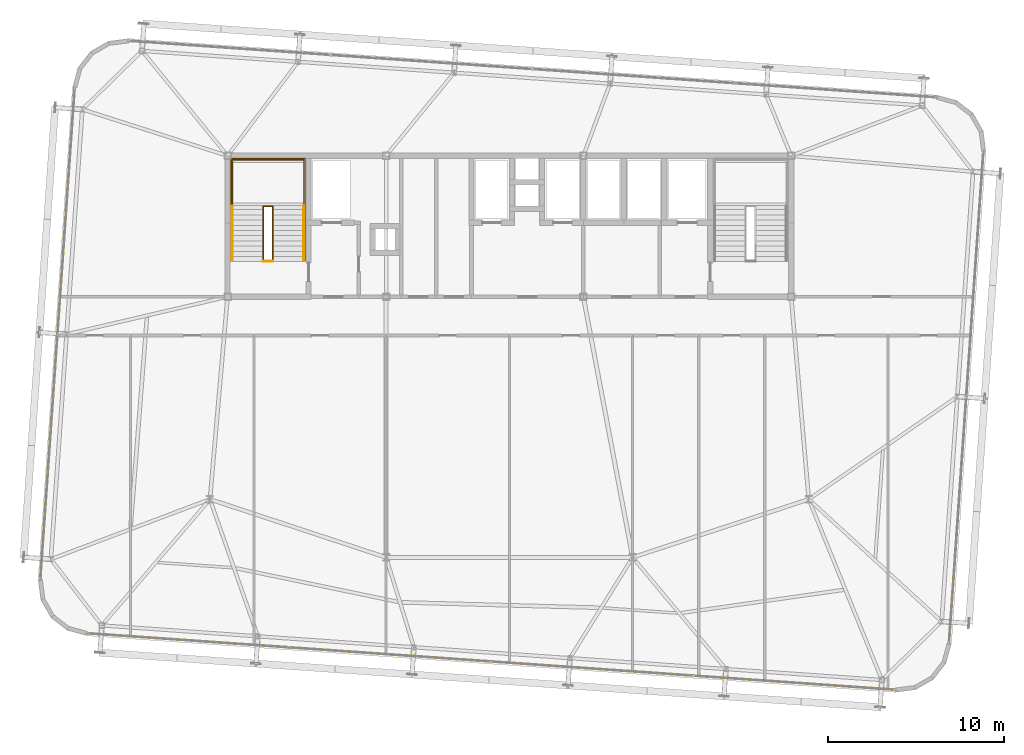
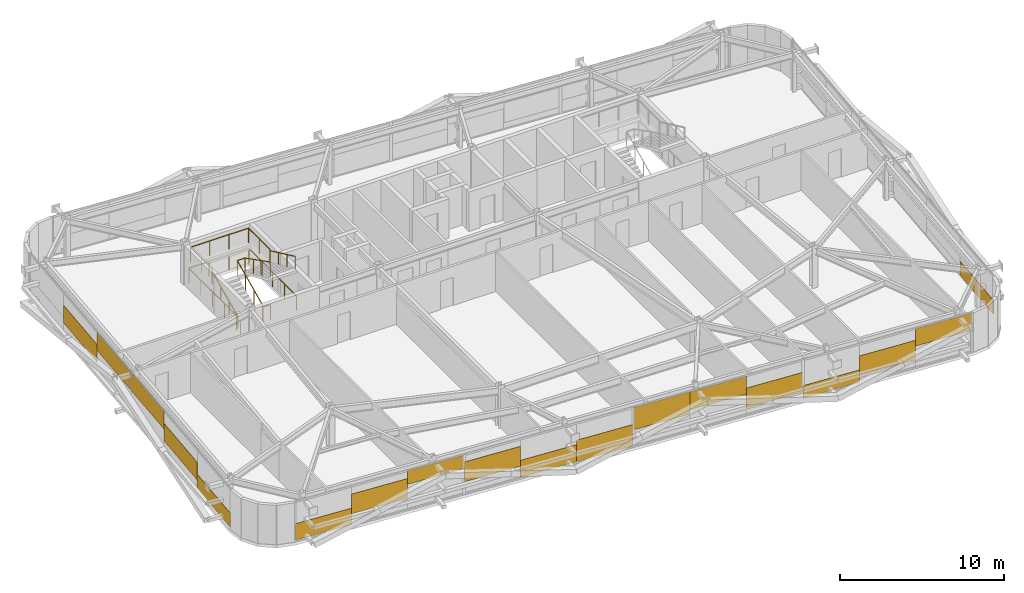
# One storey, part 38 of 39: 18 coverings, 6 railings.
"""IFC4 building model written with IfcOpenShell, lengths in metres."""

from ifc_helpers import new_model, si_unit, direction, frame, origin, origin_2d, place, context, subcontext, project, spatial, rectangle, extrude, source, transform, mapped, material, layer, layer_set, type_object, element, save


model = new_model("IFC4")

# Units and contexts
model_context = context("Model", 3, precision=1e-05, world=origin(), true_north=direction((0.0, 1.0)))
body_context = subcontext(model_context, "Body", "Model", "MODEL_VIEW")
ifc_project = project(units=[si_unit("LENGTHUNIT", "METRE"), si_unit("AREAUNIT", "SQUARE_METRE"), si_unit("VOLUMEUNIT", "CUBIC_METRE"), si_unit("PLANEANGLEUNIT", "RADIAN"), si_unit("MASSUNIT", "GRAM", prefix="KILO")], contexts=[model_context])

# Site, building, storey
site_placement = place(None, origin())
site = spatial("IfcSite", under=ifc_project, at=site_placement, CompositionType="ELEMENT")
building_placement = place(site_placement, origin())
building = spatial("IfcBuilding", under=site, at=building_placement, Name="Taldren Reach Tower", CompositionType="ELEMENT")
storey_placement = place(building_placement, frame((0.0, 0.0, 151.89990234375)))
storey = spatial("IfcBuildingStorey", under=building, at=storey_placement, Name="L46", CompositionType="ELEMENT", Elevation=151.89990234375)

# Railings
ifc_material_1 = material(Name="Steel Gr 350 (C350L0)", Category="steel")
ifc_layer_1 = layer(ifc_material_1, 0.050048828125)
ifc_layer_set_1 = layer_set([ifc_layer_1], Name="Steel Gr 350 (C350L0)")
railing_type_1 = type_object("IfcRailingType", Name="RL-STAIR-GR", PredefinedType="GUARDRAIL", material=ifc_layer_set_1)
railing_1_placement = place(storey_placement, frame((19.260009765625, 29.135009765625, 1.5751953125)))
element("IfcRailing", 1, at=railing_1_placement, inside=storey, type_object=railing_type_1, Name="Stair half-landing perimeter guard ST1-L46", PredefinedType="GUARDRAIL", context=body_context, shape_type="SweptSolid", body=[
    extrude(rectangle(XDim=0.047852, YDim=0.047852, at=origin_2d()), frame((0.0, 0.0, 1.09619140625), z_axis=(0.0, 1.0, 0.0), x_axis=(-1.0, 0.0, 0.0)), (0.0, 0.0, 1.0), 2.64501953125),
    extrude(rectangle(XDim=0.047852, YDim=0.047852, at=origin_2d()), frame((0.0, 2.64501953125, 1.09619140625), z_axis=(1.0, 0.0, 0.0), x_axis=(0.0, 1.0, 0.0)), (0.0, 0.0, 1.0), 4.080078125),
    extrude(rectangle(XDim=0.047852, YDim=0.047852, at=origin_2d()), frame((4.080078125, 2.64501953125, 1.09619140625), z_axis=(0.0, -1.0, 0.0), x_axis=(1.0, 0.0, 0.0)), (0.0, 0.0, 1.0), 2.64501953125),
    extrude(rectangle(XDim=0.041992, YDim=0.041992, at=origin_2d()), origin(), (0.0, 0.0, 1.0), 1.072021484375),
    extrude(rectangle(XDim=0.041992, YDim=0.041992, at=origin_2d()), frame((0.0, 1.322509765625, 0.0)), (0.0, 0.0, 1.0), 1.072021484375),
    extrude(rectangle(XDim=0.041992, YDim=0.041992, at=origin_2d()), frame((0.0, 2.64501953125, 0.0)), (0.0, 0.0, 1.0), 1.072021484375),
    extrude(rectangle(XDim=0.041992, YDim=0.041992, at=origin_2d()), frame((1.360107421875, 2.64501953125, 0.0)), (0.0, 0.0, 1.0), 1.072021484375),
    extrude(rectangle(XDim=0.041992, YDim=0.041992, at=origin_2d()), frame((2.719970703125, 2.64501953125, 0.0)), (0.0, 0.0, 1.0), 1.072021484375),
    extrude(rectangle(XDim=0.041992, YDim=0.041992, at=origin_2d()), frame((4.080078125, 2.64501953125, 0.0)), (0.0, 0.0, 1.0), 1.072021484375),
    extrude(rectangle(XDim=0.041992, YDim=0.041992, at=origin_2d()), frame((4.080078125, 1.322509765625, 0.0)), (0.0, 0.0, 1.0), 1.072021484375),
    extrude(rectangle(XDim=0.041992, YDim=0.041992, at=origin_2d()), frame((4.080078125, 0.0, 0.0)), (0.0, 0.0, 1.0), 1.072021484375),
])
railing_2_placement = place(storey_placement, frame((21.030029296875, 26.050048828125, 0.13134765625)))
element("IfcRailing", 2, at=railing_2_placement, inside=storey, type_object=railing_type_1, Name="Stairwell inner guard ST1-L46", PredefinedType="GUARDRAIL", context=body_context, shape_type="SweptSolid", body=[
    extrude(rectangle(XDim=0.047852, YDim=0.047852, at=origin_2d()), frame((0.0, 0.0, 1.09619140625), z_axis=(0.0, 0.905710134349, 0.423897573167), x_axis=(-1.0, 0.0, 0.0)), (0.0, 0.0, 1.0), 3.406005859375),
    extrude(rectangle(XDim=0.047852, YDim=0.047852, at=origin_2d()), frame((0.0, 3.0849609375, 2.5400390625), z_axis=(1.0, 0.0, 0.0), x_axis=(0.0, 1.0, 0.0)), (0.0, 0.0, 1.0), 0.5400390625),
    extrude(rectangle(XDim=0.047852, YDim=0.047852, at=origin_2d()), frame((0.5400390625, 3.0849609375, 2.5400390625), z_axis=(0.0, -0.890645957773, 0.45469745755), x_axis=(1.0, 0.0, 0.0)), (0.0, 0.0, 1.0), 3.463623046875),
    extrude(rectangle(XDim=0.041992, YDim=0.041992, at=origin_2d()), origin(), (0.0, 0.0, 1.0), 1.072021484375),
    extrude(rectangle(XDim=0.041992, YDim=0.041992, at=origin_2d()), frame((0.0, 1.0283203125, 0.481201171875)), (0.0, 0.0, 1.0), 1.072021484375),
    extrude(rectangle(XDim=0.041992, YDim=0.041992, at=origin_2d()), frame((0.0, 2.056640625, 0.962646484375)), (0.0, 0.0, 1.0), 1.072021484375),
    extrude(rectangle(XDim=0.041992, YDim=0.041992, at=origin_2d()), frame((0.0, 3.0849609375, 1.44384765625)), (0.0, 0.0, 1.0), 1.072021484375),
    extrude(rectangle(XDim=0.041992, YDim=0.041992, at=origin_2d()), frame((0.5400390625, 3.0849609375, 1.44384765625)), (0.0, 0.0, 1.0), 1.072021484375),
    extrude(rectangle(XDim=0.041992, YDim=0.041992, at=origin_2d()), frame((0.5400390625, 2.056640625, 1.96875)), (0.0, 0.0, 1.0), 1.072021484375),
    extrude(rectangle(XDim=0.041992, YDim=0.041992, at=origin_2d()), frame((0.5400390625, 1.0283203125, 2.493896484375)), (0.0, 0.0, 1.0), 1.072021484375),
    extrude(rectangle(XDim=0.041992, YDim=0.041992, at=origin_2d()), frame((0.5400390625, 0.0, 3.018798828125)), (0.0, 0.0, 1.0), 1.072021484375),
])
railing_3_placement = place(storey_placement, frame((21.030029296875, 26.010009765625, 0.0)))
element("IfcRailing", 3, at=railing_3_placement, inside=storey, type_object=railing_type_1, Name="Stairwell landing slot guard ST1-L46", PredefinedType="GUARDRAIL", context=body_context, shape_type="SweptSolid", body=[
    extrude(rectangle(XDim=0.047852, YDim=0.047852, at=origin_2d()), frame((0.0, 0.0, 1.09619140625), z_axis=(1.0, 0.0, 0.0), x_axis=(0.0, 1.0, 0.0)), (0.0, 0.0, 1.0), 0.5400390625),
    extrude(rectangle(XDim=0.041992, YDim=0.041992, at=origin_2d()), origin(), (0.0, 0.0, 1.0), 1.072021484375),
    extrude(rectangle(XDim=0.041992, YDim=0.041992, at=origin_2d()), frame((0.5400390625, 0.0, 0.0)), (0.0, 0.0, 1.0), 1.072021484375),
])
railing_4_placement = place(storey_placement, frame((19.18994140625, 26.050048828125, 0.0)))
element("IfcRailing", 4, at=railing_4_placement, inside=storey, type_object=railing_type_1, Name="Stairwell floor opening guard ST1-L46", PredefinedType="GUARDRAIL", context=body_context, shape_type="SweptSolid", body=[
    extrude(rectangle(XDim=0.047852, YDim=0.047852, at=origin_2d()), frame((0.0, 0.0, 1.09619140625), z_axis=(0.0, 1.0, 0.0), x_axis=(-1.0, 0.0, 0.0)), (0.0, 0.0, 1.0), 5.800048828125),
    extrude(rectangle(XDim=0.047852, YDim=0.047852, at=origin_2d()), frame((0.0, 5.800048828125, 1.09619140625), z_axis=(1.0, 0.0, 0.0), x_axis=(0.0, 1.0, 0.0)), (0.0, 0.0, 1.0), 4.219970703125),
    extrude(rectangle(XDim=0.047852, YDim=0.047852, at=origin_2d()), frame((4.219970703125, 5.800048828125, 1.09619140625), z_axis=(0.0, -1.0, 0.0), x_axis=(1.0, 0.0, 0.0)), (0.0, 0.0, 1.0), 5.800048828125),
    extrude(rectangle(XDim=0.041992, YDim=0.041992, at=origin_2d()), origin(), (0.0, 0.0, 1.0), 1.072021484375),
    extrude(rectangle(XDim=0.041992, YDim=0.041992, at=origin_2d()), frame((0.0, 1.449951171875, 0.0)), (0.0, 0.0, 1.0), 1.072021484375),
    extrude(rectangle(XDim=0.041992, YDim=0.041992, at=origin_2d()), frame((0.0, 2.89990234375, 0.0)), (0.0, 0.0, 1.0), 1.072021484375),
    extrude(rectangle(XDim=0.041992, YDim=0.041992, at=origin_2d()), frame((0.0, 4.35009765625, 0.0)), (0.0, 0.0, 1.0), 1.072021484375),
    extrude(rectangle(XDim=0.041992, YDim=0.041992, at=origin_2d()), frame((0.0, 5.800048828125, 0.0)), (0.0, 0.0, 1.0), 1.072021484375),
    extrude(rectangle(XDim=0.041992, YDim=0.041992, at=origin_2d()), frame((1.40673828125, 5.800048828125, 0.0)), (0.0, 0.0, 1.0), 1.072021484375),
    extrude(rectangle(XDim=0.041992, YDim=0.041992, at=origin_2d()), frame((2.813232421875, 5.800048828125, 0.0)), (0.0, 0.0, 1.0), 1.072021484375),
    extrude(rectangle(XDim=0.041992, YDim=0.041992, at=origin_2d()), frame((4.219970703125, 5.800048828125, 0.0)), (0.0, 0.0, 1.0), 1.072021484375),
    extrude(rectangle(XDim=0.041992, YDim=0.041992, at=origin_2d()), frame((4.219970703125, 4.35009765625, 0.0)), (0.0, 0.0, 1.0), 1.072021484375),
    extrude(rectangle(XDim=0.041992, YDim=0.041992, at=origin_2d()), frame((4.219970703125, 2.89990234375, 0.0)), (0.0, 0.0, 1.0), 1.072021484375),
    extrude(rectangle(XDim=0.041992, YDim=0.041992, at=origin_2d()), frame((4.219970703125, 1.449951171875, 0.0)), (0.0, 0.0, 1.0), 1.072021484375),
    extrude(rectangle(XDim=0.041992, YDim=0.041992, at=origin_2d()), frame((4.219970703125, 0.0, 0.0)), (0.0, 0.0, 1.0), 1.072021484375),
])
ifc_material_2 = material(Name="Stainless Steel Gr 316", Category="steel")
ifc_layer_2 = layer(ifc_material_2, 0.048095703125)
ifc_layer_set_2 = layer_set([ifc_layer_2], Name="Stainless Steel Gr 316")
railing_type_2 = type_object("IfcRailingType", Name="RL-STAIR-HR", PredefinedType="HANDRAIL", material=ifc_layer_set_2)
railing_5_placement = place(storey_placement, frame((19.27001953125, 26.050048828125, 0.13134765625)))
element("IfcRailing", 5, at=railing_5_placement, inside=storey, type_object=railing_type_2, Name="Stair flight handrail ST1-L46-1", PredefinedType="HANDRAIL", context=body_context, shape_type="SweptSolid", body=[
    extrude(rectangle(XDim=0.047852, YDim=0.047852, at=origin_2d()), frame((0.0, 0.0, 0.89599609375), z_axis=(0.0, 0.905710134349, 0.423897573167), x_axis=(-1.0, 0.0, 0.0)), (0.0, 0.0, 1.0), 3.406005859375),
    extrude(rectangle(XDim=0.041992, YDim=0.041992, at=origin_2d()), origin(), (0.0, 0.0, 1.0), 0.871826171875),
    extrude(rectangle(XDim=0.041992, YDim=0.041992, at=origin_2d()), frame((0.0, 1.0283203125, 0.481201171875)), (0.0, 0.0, 1.0), 0.871826171875),
    extrude(rectangle(XDim=0.041992, YDim=0.041992, at=origin_2d()), frame((0.0, 2.056640625, 0.962646484375)), (0.0, 0.0, 1.0), 0.871826171875),
    extrude(rectangle(XDim=0.041992, YDim=0.041992, at=origin_2d()), frame((0.0, 3.0849609375, 1.44384765625)), (0.0, 0.0, 1.0), 0.871826171875),
])
railing_6_placement = place(storey_placement, frame((23.330078125, 29.135009765625, 1.706298828125)))
element("IfcRailing", 6, at=railing_6_placement, inside=storey, type_object=railing_type_2, Name="Stair flight handrail ST1-L46-2", PredefinedType="HANDRAIL", context=body_context, shape_type="SweptSolid", body=[
    extrude(rectangle(XDim=0.047852, YDim=0.047852, at=origin_2d()), frame((0.0, 0.0, 0.89599609375), z_axis=(0.0, -0.905710134349, 0.423897573167), x_axis=(1.0, 0.0, 0.0)), (0.0, 0.0, 1.0), 3.406005859375),
    extrude(rectangle(XDim=0.041992, YDim=0.041992, at=origin_2d()), origin(), (0.0, 0.0, 1.0), 0.871826171875),
    extrude(rectangle(XDim=0.041992, YDim=0.041992, at=origin_2d()), frame((0.0, -1.0283203125, 0.481201171875)), (0.0, 0.0, 1.0), 0.871826171875),
    extrude(rectangle(XDim=0.041992, YDim=0.041992, at=origin_2d()), frame((0.0, -2.056640625, 0.962646484375)), (0.0, 0.0, 1.0), 0.871826171875),
    extrude(rectangle(XDim=0.041992, YDim=0.041992, at=origin_2d()), frame((0.0, -3.0849609375, 1.44384765625)), (0.0, 0.0, 1.0), 0.871826171875),
])

# Coverings
ifc_material_3 = material(Name="Pale Champagne Fluoropolymer Aluminium Spandrel Cladding", Category="aluminium")
ifc_layer_3 = layer(ifc_material_3, 0.0439453125)
ifc_layer_set_3 = layer_set([ifc_layer_3], Name="Pale Champagne Fluoropolymer Aluminium Spandrel Cladding")
covering_type = type_object("IfcCoveringType", Name="CV-CLAD-044", PredefinedType="CLADDING", material=ifc_layer_set_3)
shared_shape_1 = source(origin(), body_context, "Body", "SweptSolid", [
    extrude(rectangle(XDim=3.79833984375, YDim=0.0439453125, at=origin_2d()), origin(), (0.0, 0.0, 1.0), 1.22216796875),
])
covering_1_placement = place(storey_placement, frame((12.994384765625, 4.748046875, 0.05517578125), z_axis=(0.0, 0.0, 1.0), x_axis=(0.99756404731, -0.06975651593, 0.0)))
element("IfcCovering", 7, at=covering_1_placement, inside=storey, type_object=covering_type, Name="Diagrid closure cladding strip CW-4 panel 1.1 1", PredefinedType="CLADDING", context=body_context, shape_type="MappedRepresentation", body=[
    mapped(shared_shape_1, transform((0.0, 0.0, 0.0), scale=1.0)),
])
shared_shape_2 = source(origin(), body_context, "Body", "SweptSolid", [
    extrude(rectangle(XDim=3.79833984375, YDim=0.0439453125, at=origin_2d()), origin(), (0.0, 0.0, 1.0), 1.474365234375),
])
for number, where, z_axis, x_axis, name in (
    (8, (16.783447265625, 4.483154296875, 0.84228515625), (0.0, 0.0, 1.0), (0.99756404731, -0.06975651593, 0.0), "Diagrid closure cladding strip CW-4 panel 1.1 2"),
    (9, (51.16455078125, 2.0791015625, 0.5537109375), (0.0, 0.0, 1.0), (0.99756404731, -0.06975651593, 0.0), "Diagrid closure cladding strip CW-4 panel 4.1 2"),
):
    element("IfcCovering", number, at=place(storey_placement, frame(where, z_axis=z_axis, x_axis=x_axis)), inside=storey, type_object=covering_type, Name=name, PredefinedType="CLADDING", context=body_context, shape_type="MappedRepresentation", body=[
        mapped(shared_shape_2, transform((0.0, 0.0, 0.0), scale=1.0)),
    ])
shared_shape_3 = source(origin(), body_context, "Body", "SweptSolid", [
    extrude(rectangle(XDim=3.79833984375, YDim=0.0439453125, at=origin_2d()), origin(), (0.0, 0.0, 1.0), 0.993408203125),
])
covering_2_placement = place(storey_placement, frame((20.572509765625, 4.21826171875, 1.8818359375), z_axis=(0.0, 0.0, 1.0), x_axis=(0.99756404731, -0.06975651593, 0.0)))
element("IfcCovering", 10, at=covering_2_placement, inside=storey, type_object=covering_type, Name="Diagrid closure cladding strip CW-4 panel 1.1 3", PredefinedType="CLADDING", context=body_context, shape_type="MappedRepresentation", body=[
    mapped(shared_shape_3, transform((0.0, 0.0, 0.0), scale=1.0)),
])
shared_shape_4 = source(origin(), body_context, "Body", "SweptSolid", [
    extrude(rectangle(XDim=3.81005859375, YDim=0.0439453125, at=origin_2d()), origin(), (0.0, 0.0, 1.0), 1.477783203125),
])
for number, where, z_axis, x_axis, name in (
    (11, (24.437255859375, 3.947998046875, 0.88232421875), (0.0, 0.0, 1.0), (0.99756404731, -0.06975651593, 0.0), "Diagrid closure cladding strip CW-4 panel 2.1 1"),
    (12, (43.510498046875, 2.6142578125, 0.51025390625), (0.0, 0.0, 1.0), (0.99756404731, -0.06975651593, 0.0), "Diagrid closure cladding strip CW-4 panel 3.1 3"),
):
    element("IfcCovering", number, at=place(storey_placement, frame(where, z_axis=z_axis, x_axis=x_axis)), inside=storey, type_object=covering_type, Name=name, PredefinedType="CLADDING", context=body_context, shape_type="MappedRepresentation", body=[
        mapped(shared_shape_4, transform((0.0, 0.0, 0.0), scale=1.0)),
    ])
shared_shape_5 = source(origin(), body_context, "Body", "SweptSolid", [
    extrude(rectangle(XDim=3.81005859375, YDim=0.0439453125, at=origin_2d()), origin(), (0.0, 0.0, 1.0), 1.26220703125),
])
covering_3_placement = place(storey_placement, frame((28.23779296875, 3.68212890625, 0.05517578125), z_axis=(0.0, 0.0, 1.0), x_axis=(0.99756404731, -0.06975651593, 0.0)))
element("IfcCovering", 13, at=covering_3_placement, inside=storey, type_object=covering_type, Name="Diagrid closure cladding strip CW-4 panel 2.1 2", PredefinedType="CLADDING", context=body_context, shape_type="MappedRepresentation", body=[
    mapped(shared_shape_5, transform((0.0, 0.0, 0.0), scale=1.0)),
])
shared_shape_6 = source(origin(), body_context, "Body", "SweptSolid", [
    extrude(rectangle(XDim=3.81005859375, YDim=0.0439453125, at=origin_2d()), origin(), (0.0, 0.0, 1.0), 1.587890625),
])
covering_4_placement = place(storey_placement, frame((32.03857421875, 3.41650390625, 0.05517578125), z_axis=(0.0, 0.0, 1.0), x_axis=(0.99756404731, -0.06975651593, 0.0)))
element("IfcCovering", 14, at=covering_4_placement, inside=storey, type_object=covering_type, Name="Diagrid closure cladding strip CW-4 panel 2.1 3", PredefinedType="CLADDING", context=body_context, shape_type="MappedRepresentation", body=[
    mapped(shared_shape_6, transform((0.0, 0.0, 0.0), scale=1.0)),
])
shared_shape_7 = source(origin(), body_context, "Body", "SweptSolid", [
    extrude(rectangle(XDim=3.81005859375, YDim=0.0439453125, at=origin_2d()), origin(), (0.0, 0.0, 1.0), 1.64794921875),
])
covering_5_placement = place(storey_placement, frame((35.9091796875, 3.145751953125, 1.22705078125), z_axis=(0.0, 0.0, 1.0), x_axis=(0.99756404731, -0.06975651593, 0.0)))
element("IfcCovering", 15, at=covering_5_placement, inside=storey, type_object=covering_type, Name="Diagrid closure cladding strip CW-4 panel 3.1 1", PredefinedType="CLADDING", context=body_context, shape_type="MappedRepresentation", body=[
    mapped(shared_shape_7, transform((0.0, 0.0, 0.0), scale=1.0)),
])
shared_shape_8 = source(origin(), body_context, "Body", "SweptSolid", [
    extrude(rectangle(XDim=3.81005859375, YDim=0.0439453125, at=origin_2d()), origin(), (0.0, 0.0, 1.0), 1.322265625),
])
covering_6_placement = place(storey_placement, frame((39.7099609375, 2.8798828125, 1.552734375), z_axis=(0.0, 0.0, 1.0), x_axis=(0.99756404731, -0.06975651593, 0.0)))
element("IfcCovering", 16, at=covering_6_placement, inside=storey, type_object=covering_type, Name="Diagrid closure cladding strip CW-4 panel 3.1 2", PredefinedType="CLADDING", context=body_context, shape_type="MappedRepresentation", body=[
    mapped(shared_shape_8, transform((0.0, 0.0, 0.0), scale=1.0)),
])
shared_shape_9 = source(origin(), body_context, "Body", "SweptSolid", [
    extrude(rectangle(XDim=3.79833984375, YDim=0.0439453125, at=origin_2d()), origin(), (0.0, 0.0, 1.0), 0.93359375),
])
covering_7_placement = place(storey_placement, frame((47.375244140625, 2.343994140625, 0.054931640625), z_axis=(0.0, 0.0, 1.0), x_axis=(0.99756404731, -0.06975651593, 0.0)))
element("IfcCovering", 17, at=covering_7_placement, inside=storey, type_object=covering_type, Name="Diagrid closure cladding strip CW-4 panel 4.1 1", PredefinedType="CLADDING", context=body_context, shape_type="MappedRepresentation", body=[
    mapped(shared_shape_9, transform((0.0, 0.0, 0.0), scale=1.0)),
])
shared_shape_10 = source(origin(), body_context, "Body", "SweptSolid", [
    extrude(rectangle(XDim=3.79833984375, YDim=0.0439453125, at=origin_2d()), origin(), (0.0, 0.0, 1.0), 1.2822265625),
])
covering_8_placement = place(storey_placement, frame((54.95361328125, 1.81396484375, 1.5927734375), z_axis=(0.0, 0.0, 1.0), x_axis=(0.99756404731, -0.06975651593, 0.0)))
element("IfcCovering", 18, at=covering_8_placement, inside=storey, type_object=covering_type, Name="Diagrid closure cladding strip CW-4 panel 4.1 3", PredefinedType="CLADDING", context=body_context, shape_type="MappedRepresentation", body=[
    mapped(shared_shape_10, transform((0.0, 0.0, 0.0), scale=1.0)),
])
shared_shape_11 = source(origin(), body_context, "Body", "SweptSolid", [
    extrude(rectangle(XDim=4.631591796875, YDim=0.0439453125, at=origin_2d()), origin(), (0.0, 0.0, 1.0), 1.04345703125),
])
for number, where, z_axis, x_axis, name in (
    (19, (8.542724609375, 10.318115234375, 0.05517578125), (0.0, 0.0, 1.0), (-0.069756437251, -0.997564052812, 0.0), "Diagrid closure cladding strip CW-4 panel 2.1 3"),
    (20, (60.136962890625, 6.710205078125, 0.05517578125), (0.0, 0.0, 1.0), (0.069756437251, 0.997564052812, 0.0), "Diagrid closure cladding strip CW-4 panel 1.1 1"),
):
    element("IfcCovering", number, at=place(storey_placement, frame(where, z_axis=z_axis, x_axis=x_axis)), inside=storey, type_object=covering_type, Name=name, PredefinedType="CLADDING", context=body_context, shape_type="MappedRepresentation", body=[
        mapped(shared_shape_11, transform((0.0, 0.0, 0.0), scale=1.0)),
    ])
shared_shape_12 = source(origin(), body_context, "Body", "SweptSolid", [
    extrude(rectangle(XDim=4.631591796875, YDim=0.0439453125, at=origin_2d()), origin(), (0.0, 0.0, 1.0), 1.306640625),
])
for number, where, z_axis, x_axis, name in (
    (21, (9.840087890625, 28.869384765625, 0.671142578125), (0.0, 0.0, 1.0), (-0.069756437251, -0.997564052812, 0.0), "Diagrid closure cladding strip CW-4 panel 1.1 2"),
    (22, (8.865966796875, 14.9384765625, 0.671142578125), (0.0, 0.0, 1.0), (-0.069756437251, -0.997564052812, 0.0), "Diagrid closure cladding strip CW-4 panel 2.1 2"),
):
    element("IfcCovering", number, at=place(storey_placement, frame(where, z_axis=z_axis, x_axis=x_axis)), inside=storey, type_object=covering_type, Name=name, PredefinedType="CLADDING", context=body_context, shape_type="MappedRepresentation", body=[
        mapped(shared_shape_12, transform((0.0, 0.0, 0.0), scale=1.0)),
    ])
shared_shape_13 = source(origin(), body_context, "Body", "SweptSolid", [
    extrude(rectangle(XDim=4.631591796875, YDim=0.0439453125, at=origin_2d()), origin(), (0.0, 0.0, 1.0), 1.32470703125),
])
for number, where, z_axis, x_axis, name in (
    (23, (9.51708984375, 24.2490234375, 1.550537109375), (0.0, 0.0, 1.0), (-0.069756437251, -0.997564052812, 0.0), "Diagrid closure cladding strip CW-4 panel 1.1 3"),
    (24, (9.18896484375, 19.558837890625, 1.550537109375), (0.0, 0.0, 1.0), (-0.069756437251, -0.997564052812, 0.0), "Diagrid closure cladding strip CW-4 panel 2.1 1"),
):
    element("IfcCovering", number, at=place(storey_placement, frame(where, z_axis=z_axis, x_axis=x_axis)), inside=storey, type_object=covering_type, Name=name, PredefinedType="CLADDING", context=body_context, shape_type="MappedRepresentation", body=[
        mapped(shared_shape_13, transform((0.0, 0.0, 0.0), scale=1.0)),
    ])

save(model, "model.ifc")
